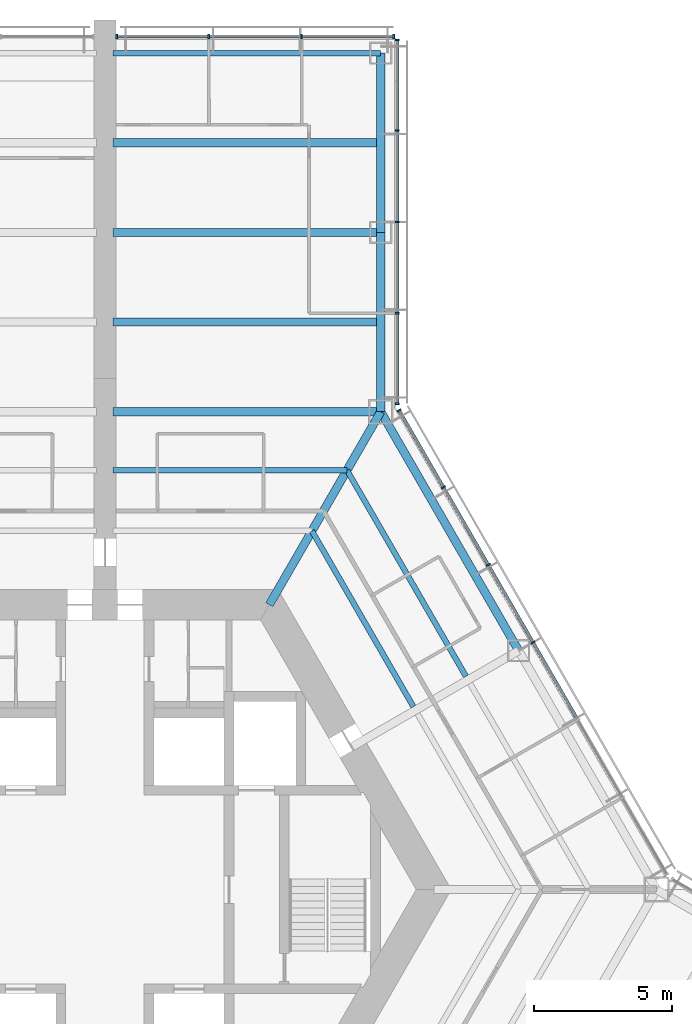
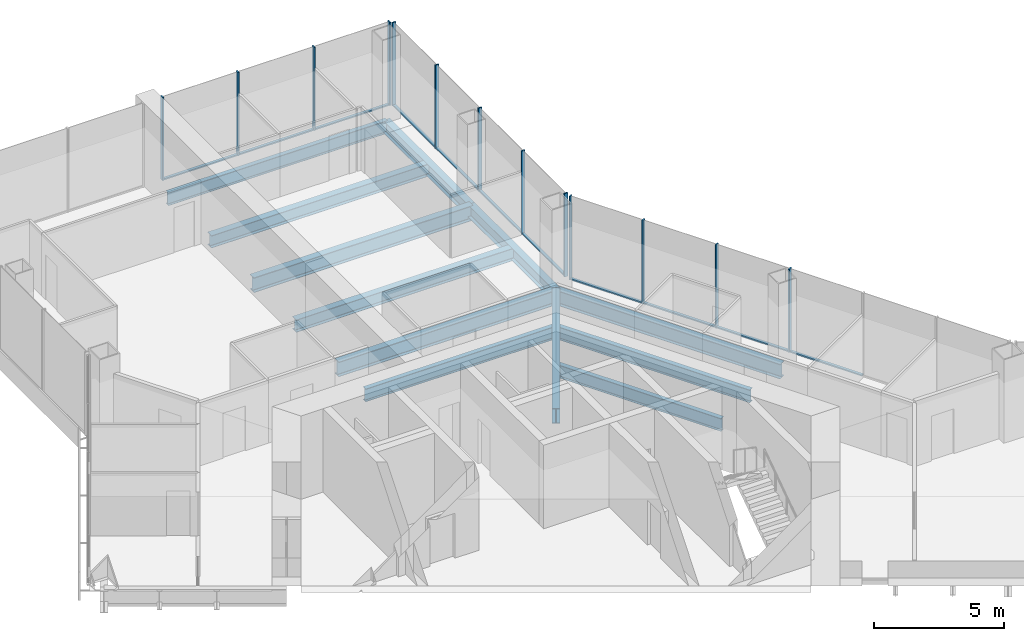
# One storey, part 8 of 19: 24 members, 12 beams, 3 elements without a shape of their own.
"""IFC4 building model written with IfcOpenShell, lengths in metres."""

from ifc_helpers import new_model, si_unit, direction, frame, origin, origin_2d, place, context, subcontext, project, spatial, rectangle, i_section, extrude, material, material_profile, profile_set, type_object, element, aggregate, save


model = new_model("IFC4")

# Units and contexts
model_context = context("Model", 3, precision=1e-05, world=origin(), true_north=direction((0.0, 1.0)))
body_context = subcontext(model_context, "Body", "Model", "MODEL_VIEW")
ifc_project = project(units=[si_unit("LENGTHUNIT", "METRE"), si_unit("AREAUNIT", "SQUARE_METRE"), si_unit("VOLUMEUNIT", "CUBIC_METRE"), si_unit("PLANEANGLEUNIT", "RADIAN"), si_unit("MASSUNIT", "GRAM", prefix="KILO")], contexts=[model_context])

# Site, building, storey
site_placement = place(None, origin())
site = spatial("IfcSite", under=ifc_project, at=site_placement, CompositionType="ELEMENT")
building_placement = place(site_placement, origin())
building = spatial("IfcBuilding", under=site, at=building_placement, Name="Kasaneha Research Tower", CompositionType="ELEMENT")
storey_placement = place(building_placement, frame((0.0, 0.0, 104.10009765625)))
storey = spatial("IfcBuildingStorey", under=building, at=storey_placement, Name="L26", CompositionType="ELEMENT", Elevation=104.10009765625)

# Beams
ifc_material_1 = material(Name="Steel SN490B", Category="steel")
ifc_material_profile_1 = material_profile(ifc_material_1, i_section(OverallWidth=0.199951171875, OverallDepth=0.60009765625, WebThickness=0.010986328125, FlangeThickness=0.01708984375, FilletRadius=0.012939453125, at=origin_2d()), Name="H-600x200x11x17")
ifc_profile_set_1 = profile_set([ifc_material_profile_1], Name="Steel SN490B")
beam_type_1 = type_object("IfcBeamType", Name="B1-3 secondary beam H-600x200x11x17", PredefinedType="JOIST", material=ifc_profile_set_1)
beam_1_placement = place(storey_placement, frame((7.505615234375, 13.0, -0.4501953125), z_axis=(0.499994443168, -0.866028611999, 0.0), x_axis=(0.866028611999, 0.499994443168, 0.0)))
element("IfcBeam", 1, at=beam_1_placement, inside=storey, type_object=beam_type_1, Name="Secondary beam RS030R1 L26", PredefinedType="JOIST", context=body_context, shape_type="SweptSolid", body=[
    extrude(i_section(OverallWidth=0.199951171875, OverallDepth=0.60009765625, WebThickness=0.010986328125, FlangeThickness=0.01708984375, FilletRadius=0.012939453125, at=origin_2d()), origin(), (0.0, 0.0, 1.0), 7.35546875),
])
beam_2_placement = place(storey_placement, frame((8.775634765625, 15.199951171875, -0.4501953125), z_axis=(0.500017275495, -0.866015429543, 0.0), x_axis=(0.866015429543, 0.500017275495, 0.0)))
element("IfcBeam", 2, at=beam_2_placement, inside=storey, type_object=beam_type_1, Name="Secondary beam RS030R2 L26", PredefinedType="JOIST", context=body_context, shape_type="SweptSolid", body=[
    extrude(i_section(OverallWidth=0.199951171875, OverallDepth=0.60009765625, WebThickness=0.010986328125, FlangeThickness=0.01708984375, FilletRadius=0.012939453125, at=origin_2d()), origin(), (0.0, 0.0, 1.0), 8.625732421875),
])
beam_3_placement = place(storey_placement, frame((8.775634765625, 15.199951171875, -0.4501953125), z_axis=(-1.0, 0.0, 0.0), x_axis=(0.0, -1.0, 0.0)))
element("IfcBeam", 3, at=beam_3_placement, inside=storey, type_object=beam_type_1, Name="Secondary beam RS090L2 L26", PredefinedType="JOIST", context=body_context, shape_type="SweptSolid", body=[
    extrude(i_section(OverallWidth=0.199951171875, OverallDepth=0.60009765625, WebThickness=0.010986328125, FlangeThickness=0.01708984375, FilletRadius=0.012939453125, at=origin_2d()), origin(), (0.0, 0.0, 1.0), 8.4755859375),
])
ifc_material_2 = material(Name="Steel SN490B", Category="steel")
ifc_material_profile_2 = material_profile(ifc_material_2, i_section(OverallWidth=0.300048828125, OverallDepth=0.58203125, WebThickness=0.011962890625, FlangeThickness=0.01708984375, FilletRadius=0.012939453125, at=origin_2d()), Name="H-582x300x12x17")
ifc_profile_set_2 = profile_set([ifc_material_profile_2], Name="Steel SN490B")
beam_type_2 = type_object("IfcBeamType", Name="B2-3 secondary beam H-582x300x12x17", PredefinedType="JOIST", material=ifc_profile_set_2)
for number, where, z_axis, x_axis, name in (
    (4, (10.0, 20.570556640625, -0.441162109375), (-1.0, 0.0, 0.0), (0.0, -1.0, 0.0), "Secondary beam WBAP1 L26"),
    (5, (10.0, 27.070556640625, -0.441162109375), (-1.0, 0.0, 0.0), (0.0, -1.0, 0.0), "Secondary beam WBAP2 L26"),
):
    element("IfcBeam", number, at=place(storey_placement, frame(where, z_axis=z_axis, x_axis=x_axis)), inside=storey, type_object=beam_type_2, Name=name, PredefinedType="JOIST", context=body_context, shape_type="SweptSolid", body=[
        extrude(i_section(OverallWidth=0.300048828125, OverallDepth=0.58203125, WebThickness=0.011962890625, FlangeThickness=0.01708984375, FilletRadius=0.012939453125, at=origin_2d()), origin(), (0.0, 0.0, 1.0), 9.699951171875),
    ])

# Curtain wall, members
ifc_material_3 = material(Name="Glass and aluminium", Category="aluminium")
curtain_wall_type = type_object("IfcCurtainWallType", Name="Low-rise office curtain wall", PredefinedType="USERDEFINED", material=ifc_material_3)
curtain_wall_1_placement = place(storey_placement, origin())
curtain_wall_1 = element("IfcCurtainWall", 6, at=curtain_wall_1_placement, inside=storey, type_object=curtain_wall_type, Name="CW-O1 L26 run 07a", ObjectType="UNITISED CURTAIN WALL", PredefinedType="USERDEFINED")
ifc_material_4 = material(Name="Aluminium 6063-T6", Category="aluminium")
ifc_material_profile_3 = material_profile(ifc_material_4, rectangle(XDim=0.06005859375, YDim=0.159912109375, at=origin_2d()), Name="CW-O1 mullion 60x160")
ifc_profile_set_3 = profile_set([ifc_material_profile_3], Name="Aluminium 6063-T6")
member_type_1 = type_object("IfcMemberType", Name="CW-O1 mullion", PredefinedType="MULLION", material=ifc_profile_set_3)
member_1_placement = place(storey_placement, frame((15.51953125, 8.960205078125, 0.0), z_axis=(0.0, 0.0, 1.0), x_axis=(-0.49999996188, 0.866025425793, 0.0)))
member_1 = element("IfcMember", 7, at=member_1_placement, type_object=member_type_1, Name="CW-O1 mullion 4", PredefinedType="MULLION", context=body_context, shape_type="SweptSolid", body=[
    extrude(rectangle(XDim=0.06005859375, YDim=0.159912109375, at=origin_2d()), origin(), (0.0, 0.0, 1.0), 3.89990234375),
])
member_2_placement = place(storey_placement, frame((13.896484375, 11.771728515625, 0.0), z_axis=(0.0, 0.0, 1.0), x_axis=(-0.49999996188, 0.866025425793, 0.0)))
member_2 = element("IfcMember", 8, at=member_2_placement, type_object=member_type_1, Name="CW-O1 mullion 5", PredefinedType="MULLION", context=body_context, shape_type="SweptSolid", body=[
    extrude(rectangle(XDim=0.06005859375, YDim=0.159912109375, at=origin_2d()), origin(), (0.0, 0.0, 1.0), 3.89990234375),
])
member_3_placement = place(storey_placement, frame((12.273193359375, 14.583251953125, 0.0), z_axis=(0.0, 0.0, 1.0), x_axis=(-0.49999996188, 0.866025425793, 0.0)))
member_3 = element("IfcMember", 9, at=member_3_placement, type_object=member_type_1, Name="CW-O1 mullion 6", PredefinedType="MULLION", context=body_context, shape_type="SweptSolid", body=[
    extrude(rectangle(XDim=0.06005859375, YDim=0.159912109375, at=origin_2d()), origin(), (0.0, 0.0, 1.0), 3.89990234375),
])
member_4_placement = place(storey_placement, frame((10.6650390625, 17.36865234375, 0.0), z_axis=(0.0, 0.0, 1.0), x_axis=(-0.49999996188, 0.866025425793, 0.0)))
member_4 = element("IfcMember", 10, at=member_4_placement, type_object=member_type_1, Name="CW-O1 mullion 7", PredefinedType="MULLION", context=body_context, shape_type="SweptSolid", body=[
    extrude(rectangle(XDim=0.06005859375, YDim=0.159912109375, at=origin_2d()), origin(), (0.0, 0.0, 1.0), 3.89990234375),
])

curtain_wall_2_placement = place(storey_placement, origin())
curtain_wall_2 = element("IfcCurtainWall", 11, at=curtain_wall_2_placement, inside=storey, type_object=curtain_wall_type, Name="CW-O1 L26 run 08a", ObjectType="UNITISED CURTAIN WALL", PredefinedType="USERDEFINED")
member_5_placement = place(storey_placement, frame((10.60009765625, 17.611328125, 0.0), z_axis=(0.0, 0.0, 1.0), x_axis=(0.0, 1.0, 0.0)))
member_5 = element("IfcMember", 12, at=member_5_placement, type_object=member_type_1, Name="CW-O1 mullion 1", PredefinedType="MULLION", context=body_context, shape_type="SweptSolid", body=[
    extrude(rectangle(XDim=0.06005859375, YDim=0.159912109375, at=origin_2d()), origin(), (0.0, 0.0, 1.0), 3.89990234375),
])
member_6_placement = place(storey_placement, frame((10.60009765625, 20.89111328125, 0.0), z_axis=(0.0, 0.0, 1.0), x_axis=(0.0, 1.0, 0.0)))
member_6 = element("IfcMember", 13, at=member_6_placement, type_object=member_type_1, Name="CW-O1 mullion 2", PredefinedType="MULLION", context=body_context, shape_type="SweptSolid", body=[
    extrude(rectangle(XDim=0.06005859375, YDim=0.159912109375, at=origin_2d()), origin(), (0.0, 0.0, 1.0), 3.89990234375),
])
member_7_placement = place(storey_placement, frame((10.60009765625, 24.200927734375, 0.0), z_axis=(0.0, 0.0, 1.0), x_axis=(0.0, 1.0, 0.0)))
member_7 = element("IfcMember", 14, at=member_7_placement, type_object=member_type_1, Name="CW-O1 mullion 3", PredefinedType="MULLION", context=body_context, shape_type="SweptSolid", body=[
    extrude(rectangle(XDim=0.06005859375, YDim=0.159912109375, at=origin_2d()), origin(), (0.0, 0.0, 1.0), 3.89990234375),
])
member_8_placement = place(storey_placement, frame((10.60009765625, 27.5107421875, 0.0), z_axis=(0.0, 0.0, 1.0), x_axis=(0.0, 1.0, 0.0)))
member_8 = element("IfcMember", 15, at=member_8_placement, type_object=member_type_1, Name="CW-O1 mullion 4", PredefinedType="MULLION", context=body_context, shape_type="SweptSolid", body=[
    extrude(rectangle(XDim=0.06005859375, YDim=0.159912109375, at=origin_2d()), origin(), (0.0, 0.0, 1.0), 3.89990234375),
])
member_9_placement = place(storey_placement, frame((10.60009765625, 30.79052734375, 0.0), z_axis=(0.0, 0.0, 1.0), x_axis=(0.0, 1.0, 0.0)))
member_9 = element("IfcMember", 16, at=member_9_placement, type_object=member_type_1, Name="CW-O1 mullion 5", PredefinedType="MULLION", context=body_context, shape_type="SweptSolid", body=[
    extrude(rectangle(XDim=0.06005859375, YDim=0.159912109375, at=origin_2d()), origin(), (0.0, 0.0, 1.0), 3.89990234375),
])

curtain_wall_3_placement = place(storey_placement, origin())
curtain_wall_3 = element("IfcCurtainWall", 17, at=curtain_wall_3_placement, inside=storey, type_object=curtain_wall_type, Name="CW-O1 L26 run 09a", ObjectType="UNITISED CURTAIN WALL", PredefinedType="USERDEFINED")
member_10_placement = place(storey_placement, frame((10.469970703125, 30.92041015625, 0.0), z_axis=(0.0, 0.0, 1.0), x_axis=(-1.0, 0.0, 0.0)))
member_10 = element("IfcMember", 18, at=member_10_placement, type_object=member_type_1, Name="CW-O1 mullion 1", PredefinedType="MULLION", context=body_context, shape_type="SweptSolid", body=[
    extrude(rectangle(XDim=0.06005859375, YDim=0.159912109375, at=origin_2d()), origin(), (0.0, 0.0, 1.0), 3.89990234375),
])
member_11_placement = place(storey_placement, frame((7.13330078125, 30.92041015625, 0.0), z_axis=(0.0, 0.0, 1.0), x_axis=(-1.0, 0.0, 0.0)))
member_11 = element("IfcMember", 19, at=member_11_placement, type_object=member_type_1, Name="CW-O1 mullion 2", PredefinedType="MULLION", context=body_context, shape_type="SweptSolid", body=[
    extrude(rectangle(XDim=0.06005859375, YDim=0.159912109375, at=origin_2d()), origin(), (0.0, 0.0, 1.0), 3.89990234375),
])
member_12_placement = place(storey_placement, frame((3.7666015625, 30.92041015625, 0.0), z_axis=(0.0, 0.0, 1.0), x_axis=(-1.0, 0.0, 0.0)))
member_12 = element("IfcMember", 20, at=member_12_placement, type_object=member_type_1, Name="CW-O1 mullion 3", PredefinedType="MULLION", context=body_context, shape_type="SweptSolid", body=[
    extrude(rectangle(XDim=0.06005859375, YDim=0.159912109375, at=origin_2d()), origin(), (0.0, 0.0, 1.0), 3.89990234375),
])
member_13_placement = place(storey_placement, frame((0.429931640625, 30.92041015625, 0.0), z_axis=(0.0, 0.0, 1.0), x_axis=(-1.0, 0.0, 0.0)))
member_13 = element("IfcMember", 21, at=member_13_placement, type_object=member_type_1, Name="CW-O1 mullion 4", PredefinedType="MULLION", context=body_context, shape_type="SweptSolid", body=[
    extrude(rectangle(XDim=0.06005859375, YDim=0.159912109375, at=origin_2d()), origin(), (0.0, 0.0, 1.0), 3.89990234375),
])

# Member
ifc_material_5 = material(Name="Aluminium 6063-T6", Category="aluminium")
ifc_material_profile_4 = material_profile(ifc_material_5, rectangle(XDim=0.1201171875, YDim=0.06005859375, at=origin_2d()), Name="CW-O1 transom 120x60")
ifc_profile_set_4 = profile_set([ifc_material_profile_4], Name="Aluminium 6063-T6")
member_type_2 = type_object("IfcMemberType", Name="CW-O1 transom", PredefinedType="USERDEFINED", material=ifc_profile_set_4)
member_14_placement = place(storey_placement, frame((17.1279296875, 6.1748046875, 0.02978515625), z_axis=(-0.500012062035, 0.866018439653, 0.0), x_axis=(-0.866018439653, -0.500012062035, 0.0)))
member_14 = element("IfcMember", 22, at=member_14_placement, type_object=member_type_2, Name="CW-O1 transom 3", ObjectType="TRANSOM", PredefinedType="USERDEFINED", context=body_context, shape_type="SweptSolid", body=[
    extrude(rectangle(XDim=0.1201171875, YDim=0.06005859375, at=origin_2d()), origin(), (0.0, 0.0, 1.0), 3.1865234375),
])

member_15_placement = place(storey_placement, frame((15.504638671875, 8.986328125, 0.02978515625), z_axis=(-0.500012062035, 0.866018439653, 0.0), x_axis=(-0.866018439653, -0.500012062035, 0.0)))
member_15 = element("IfcMember", 23, at=member_15_placement, type_object=member_type_2, Name="CW-O1 transom 4", ObjectType="TRANSOM", PredefinedType="USERDEFINED", context=body_context, shape_type="SweptSolid", body=[
    extrude(rectangle(XDim=0.1201171875, YDim=0.06005859375, at=origin_2d()), origin(), (0.0, 0.0, 1.0), 3.1865234375),
])

member_16_placement = place(storey_placement, frame((13.88134765625, 11.797607421875, 0.02978515625), z_axis=(-0.500012062035, 0.866018439653, 0.0), x_axis=(-0.866018439653, -0.500012062035, 0.0)))
member_16 = element("IfcMember", 24, at=member_16_placement, type_object=member_type_2, Name="CW-O1 transom 5", ObjectType="TRANSOM", PredefinedType="USERDEFINED", context=body_context, shape_type="SweptSolid", body=[
    extrude(rectangle(XDim=0.1201171875, YDim=0.06005859375, at=origin_2d()), origin(), (0.0, 0.0, 1.0), 3.1865234375),
])

member_17_placement = place(storey_placement, frame((12.25830078125, 14.609130859375, 0.02978515625), z_axis=(-0.500023726918, 0.866011704609, 0.0), x_axis=(-0.866011704609, -0.500023726918, 0.0)))
member_17 = element("IfcMember", 25, at=member_17_placement, type_object=member_type_2, Name="CW-O1 transom 6", ObjectType="TRANSOM", PredefinedType="USERDEFINED", context=body_context, shape_type="SweptSolid", body=[
    extrude(rectangle(XDim=0.1201171875, YDim=0.06005859375, at=origin_2d()), origin(), (0.0, 0.0, 1.0), 3.156494140625),
])

aggregate(curtain_wall_1, [member_1, member_2, member_3, member_4, member_14, member_15, member_16, member_17])

member_18_placement = place(storey_placement, frame((10.60009765625, 17.641357421875, 0.02978515625), z_axis=(0.0, 1.0, 0.0), x_axis=(-1.0, 0.0, 0.0)))
member_18 = element("IfcMember", 26, at=member_18_placement, type_object=member_type_2, Name="CW-O1 transom 1", ObjectType="TRANSOM", PredefinedType="USERDEFINED", context=body_context, shape_type="SweptSolid", body=[
    extrude(rectangle(XDim=0.1201171875, YDim=0.06005859375, at=origin_2d()), origin(), (0.0, 0.0, 1.0), 3.2197265625),
])

member_19_placement = place(storey_placement, frame((10.60009765625, 20.921142578125, 0.02978515625), z_axis=(0.0, 1.0, 0.0), x_axis=(-1.0, 0.0, 0.0)))
member_19 = element("IfcMember", 27, at=member_19_placement, type_object=member_type_2, Name="CW-O1 transom 2", ObjectType="TRANSOM", PredefinedType="USERDEFINED", context=body_context, shape_type="SweptSolid", body=[
    extrude(rectangle(XDim=0.1201171875, YDim=0.06005859375, at=origin_2d()), origin(), (0.0, 0.0, 1.0), 3.249755859375),
])

member_20_placement = place(storey_placement, frame((10.60009765625, 24.23095703125, 0.02978515625), z_axis=(0.0, 1.0, 0.0), x_axis=(-1.0, 0.0, 0.0)))
member_20 = element("IfcMember", 28, at=member_20_placement, type_object=member_type_2, Name="CW-O1 transom 3", ObjectType="TRANSOM", PredefinedType="USERDEFINED", context=body_context, shape_type="SweptSolid", body=[
    extrude(rectangle(XDim=0.1201171875, YDim=0.06005859375, at=origin_2d()), origin(), (0.0, 0.0, 1.0), 3.249755859375),
])

member_21_placement = place(storey_placement, frame((10.60009765625, 27.540771484375, 0.02978515625), z_axis=(0.0, 1.0, 0.0), x_axis=(-1.0, 0.0, 0.0)))
member_21 = element("IfcMember", 29, at=member_21_placement, type_object=member_type_2, Name="CW-O1 transom 4", ObjectType="TRANSOM", PredefinedType="USERDEFINED", context=body_context, shape_type="SweptSolid", body=[
    extrude(rectangle(XDim=0.1201171875, YDim=0.06005859375, at=origin_2d()), origin(), (0.0, 0.0, 1.0), 3.2197265625),
])

aggregate(curtain_wall_2, [member_5, member_6, member_7, member_8, member_9, member_18, member_19, member_20, member_21])

member_22_placement = place(storey_placement, frame((10.43994140625, 30.92041015625, 0.02978515625), z_axis=(-1.0, 0.0, 0.0), x_axis=(0.0, -1.0, 0.0)))
member_22 = element("IfcMember", 30, at=member_22_placement, type_object=member_type_2, Name="CW-O1 transom 1", ObjectType="TRANSOM", PredefinedType="USERDEFINED", context=body_context, shape_type="SweptSolid", body=[
    extrude(rectangle(XDim=0.1201171875, YDim=0.06005859375, at=origin_2d()), origin(), (0.0, 0.0, 1.0), 3.276611328125),
])

member_23_placement = place(storey_placement, frame((7.103271484375, 30.92041015625, 0.02978515625), z_axis=(-1.0, 0.0, 0.0), x_axis=(0.0, -1.0, 0.0)))
member_23 = element("IfcMember", 31, at=member_23_placement, type_object=member_type_2, Name="CW-O1 transom 2", ObjectType="TRANSOM", PredefinedType="USERDEFINED", context=body_context, shape_type="SweptSolid", body=[
    extrude(rectangle(XDim=0.1201171875, YDim=0.06005859375, at=origin_2d()), origin(), (0.0, 0.0, 1.0), 3.306640625),
])

member_24_placement = place(storey_placement, frame((3.736572265625, 30.92041015625, 0.02978515625), z_axis=(-1.0, 0.0, 0.0), x_axis=(0.0, -1.0, 0.0)))
member_24 = element("IfcMember", 32, at=member_24_placement, type_object=member_type_2, Name="CW-O1 transom 3", ObjectType="TRANSOM", PredefinedType="USERDEFINED", context=body_context, shape_type="SweptSolid", body=[
    extrude(rectangle(XDim=0.1201171875, YDim=0.06005859375, at=origin_2d()), origin(), (0.0, 0.0, 1.0), 3.276611328125),
])

aggregate(curtain_wall_3, [member_10, member_11, member_12, member_13, member_22, member_23, member_24])

# Beams
ifc_material_6 = material(Name="Steel SN490B", Category="steel")
ifc_material_profile_5 = material_profile(ifc_material_6, i_section(OverallWidth=0.300048828125, OverallDepth=0.699951171875, WebThickness=0.012939453125, FlangeThickness=0.02392578125, FilletRadius=0.01806640625, at=origin_2d()), Name="H-700x300x13x24")
ifc_profile_set_5 = profile_set([ifc_material_profile_5], Name="Steel SN490B")
beam_type_3 = type_object("IfcBeamType", Name="G1-3 radial girder H-700x300x13x24", PredefinedType="BEAM", material=ifc_profile_set_5)
beam_4_placement = place(storey_placement, frame((5.961181640625, 10.324951171875, -0.5), z_axis=(0.49999105496, 0.866030568144, 0.0), x_axis=(-0.866030568144, 0.49999105496, 0.0)))
element("IfcBeam", 33, at=beam_4_placement, inside=storey, type_object=beam_type_3, Name="Radial girder RV060 L26", PredefinedType="BEAM", context=body_context, shape_type="SweptSolid", body=[
    extrude(i_section(OverallWidth=0.300048828125, OverallDepth=0.699951171875, WebThickness=0.012939453125, FlangeThickness=0.02392578125, FilletRadius=0.01806640625, at=origin_2d()), origin(), (0.0, 0.0, 1.0), 8.077880859375),
])
ifc_material_7 = material(Name="Steel SN490B", Category="steel")
ifc_material_profile_6 = material_profile(ifc_material_7, i_section(OverallWidth=0.300048828125, OverallDepth=0.69189453125, WebThickness=0.012939453125, FlangeThickness=0.02001953125, FilletRadius=0.01806640625, at=origin_2d()), Name="H-692x300x13x20")
ifc_profile_set_6 = profile_set([ifc_material_profile_6], Name="Steel SN490B")
beam_type_4 = type_object("IfcBeamType", Name="G3-3 plate edge girder H-692x300x13x20", PredefinedType="BEAM", material=ifc_profile_set_6)
beam_5_placement = place(storey_placement, frame((10.0, 17.320556640625, -0.49609375), z_axis=(-1.0, 0.0, 0.0), x_axis=(0.0, -1.0, 0.0)))
element("IfcBeam", 34, at=beam_5_placement, inside=storey, type_object=beam_type_4, Name="Plate edge girder PEAP L26", PredefinedType="BEAM", context=body_context, shape_type="SweptSolid", body=[
    extrude(i_section(OverallWidth=0.300048828125, OverallDepth=0.69189453125, WebThickness=0.012939453125, FlangeThickness=0.02001953125, FilletRadius=0.01806640625, at=origin_2d()), origin(), (0.0, 0.0, 1.0), 9.699951171875),
])
ifc_material_8 = material(Name="Steel SN490B", Category="steel")
ifc_material_profile_7 = material_profile(ifc_material_8, i_section(OverallWidth=0.300048828125, OverallDepth=0.699951171875, WebThickness=0.012939453125, FlangeThickness=0.02392578125, FilletRadius=0.01806640625, at=origin_2d()), Name="H-700x300x13x24")
ifc_profile_set_7 = profile_set([ifc_material_profile_7], Name="Steel SN490B")
beam_type_5 = type_object("IfcBeamType", Name="G4-3 wing girder H-700x300x13x24", PredefinedType="BEAM", material=ifc_profile_set_7)
beam_6_placement = place(storey_placement, frame((10.0, 23.820556640625, -0.5), z_axis=(-1.0, 0.0, 0.0), x_axis=(0.0, -1.0, 0.0)))
element("IfcBeam", 35, at=beam_6_placement, inside=storey, type_object=beam_type_5, Name="Wing girder WGAP L26", PredefinedType="BEAM", context=body_context, shape_type="SweptSolid", body=[
    extrude(i_section(OverallWidth=0.300048828125, OverallDepth=0.699951171875, WebThickness=0.012939453125, FlangeThickness=0.02392578125, FilletRadius=0.01806640625, at=origin_2d()), origin(), (0.0, 0.0, 1.0), 9.699951171875),
])
ifc_material_9 = material(Name="Steel SN490B", Category="steel")
ifc_material_profile_8 = material_profile(ifc_material_9, i_section(OverallWidth=0.300048828125, OverallDepth=0.69189453125, WebThickness=0.012939453125, FlangeThickness=0.02001953125, FilletRadius=0.01806640625, at=origin_2d()), Name="H-692x300x13x20")
ifc_profile_set_8 = profile_set([ifc_material_profile_8], Name="Steel SN490B")
beam_type_6 = type_object("IfcBeamType", Name="SB1-3 spandrel beam H-692x300x13x20", PredefinedType="SPANDREL", material=ifc_profile_set_8)
beam_7_placement = place(storey_placement, frame((10.0, 17.320556640625, -0.49609375), z_axis=(0.499993662806, -0.866029062534, 0.0), x_axis=(0.866029062534, 0.499993662806, 0.0)))
element("IfcBeam", 36, at=beam_7_placement, inside=storey, type_object=beam_type_6, Name="Spandrel beam SR030R L26", PredefinedType="SPANDREL", context=body_context, shape_type="SweptSolid", body=[
    extrude(i_section(OverallWidth=0.300048828125, OverallDepth=0.69189453125, WebThickness=0.012939453125, FlangeThickness=0.02001953125, FilletRadius=0.01806640625, at=origin_2d()), origin(), (0.0, 0.0, 1.0), 10.000244140625),
])
ifc_material_10 = material(Name="Steel SN490B", Category="steel")
ifc_material_profile_9 = material_profile(ifc_material_10, i_section(OverallWidth=0.300048828125, OverallDepth=0.58203125, WebThickness=0.011962890625, FlangeThickness=0.01708984375, FilletRadius=0.012939453125, at=origin_2d()), Name="H-582x300x12x17")
ifc_profile_set_9 = profile_set([ifc_material_profile_9], Name="Steel SN490B")
beam_type_7 = type_object("IfcBeamType", Name="SB2-3 spandrel beam H-582x300x12x17", PredefinedType="SPANDREL", material=ifc_profile_set_9)
for number, where, z_axis, x_axis, name in (
    (37, (10.0, 17.320556640625, -0.441162109375), (0.0, 1.0, 0.0), (-1.0, 0.0, 0.0), "Spandrel beam WSAP1 L26"),
    (38, (10.0, 23.820556640625, -0.441162109375), (0.0, 1.0, 0.0), (-1.0, 0.0, 0.0), "Spandrel beam WSAP2 L26"),
):
    element("IfcBeam", number, at=place(storey_placement, frame(where, z_axis=z_axis, x_axis=x_axis)), inside=storey, type_object=beam_type_7, Name=name, PredefinedType="SPANDREL", context=body_context, shape_type="SweptSolid", body=[
        extrude(i_section(OverallWidth=0.300048828125, OverallDepth=0.58203125, WebThickness=0.011962890625, FlangeThickness=0.01708984375, FilletRadius=0.012939453125, at=origin_2d()), origin(), (0.0, 0.0, 1.0), 6.5),
    ])
ifc_material_11 = material(Name="Steel SN490B", Category="steel")
ifc_material_profile_10 = material_profile(ifc_material_11, i_section(OverallWidth=0.199951171875, OverallDepth=0.60009765625, WebThickness=0.010986328125, FlangeThickness=0.01708984375, FilletRadius=0.012939453125, at=origin_2d()), Name="H-600x200x11x17")
ifc_profile_set_10 = profile_set([ifc_material_profile_10], Name="Steel SN490B")
beam_type_8 = type_object("IfcBeamType", Name="SB3-3 spandrel beam H-600x200x11x17", PredefinedType="SPANDREL", material=ifc_profile_set_10)
beam_8_placement = place(storey_placement, frame((10.0, 30.320556640625, -0.4501953125), z_axis=(-1.0, 0.0, 0.0), x_axis=(0.0, -1.0, 0.0)))
element("IfcBeam", 39, at=beam_8_placement, inside=storey, type_object=beam_type_8, Name="Spandrel beam WTAP L26", PredefinedType="SPANDREL", context=body_context, shape_type="SweptSolid", body=[
    extrude(i_section(OverallWidth=0.199951171875, OverallDepth=0.60009765625, WebThickness=0.010986328125, FlangeThickness=0.01708984375, FilletRadius=0.012939453125, at=origin_2d()), origin(), (0.0, 0.0, 1.0), 9.699951171875),
])

save(model, "model.ifc")
